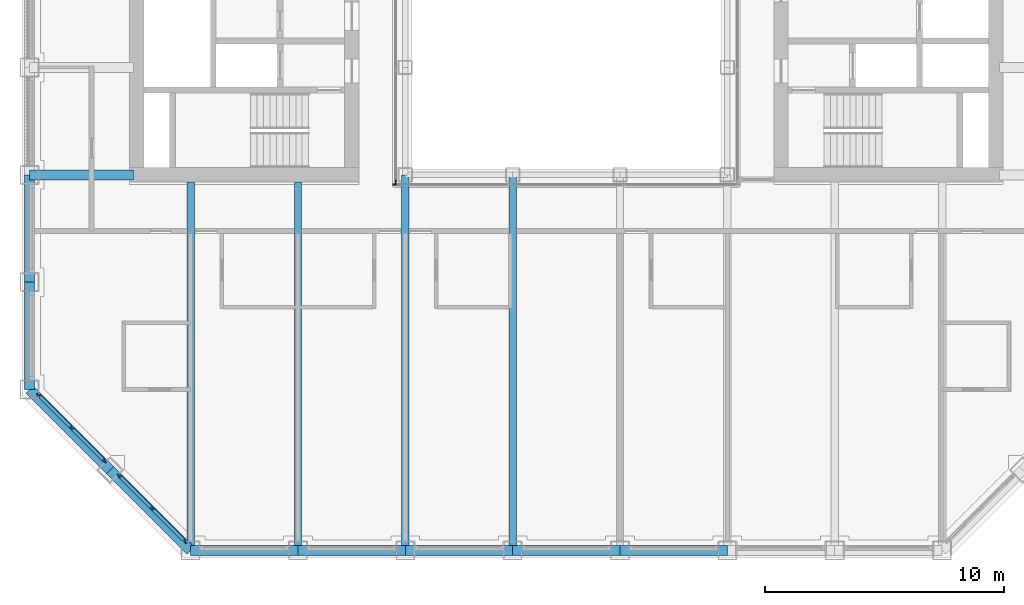
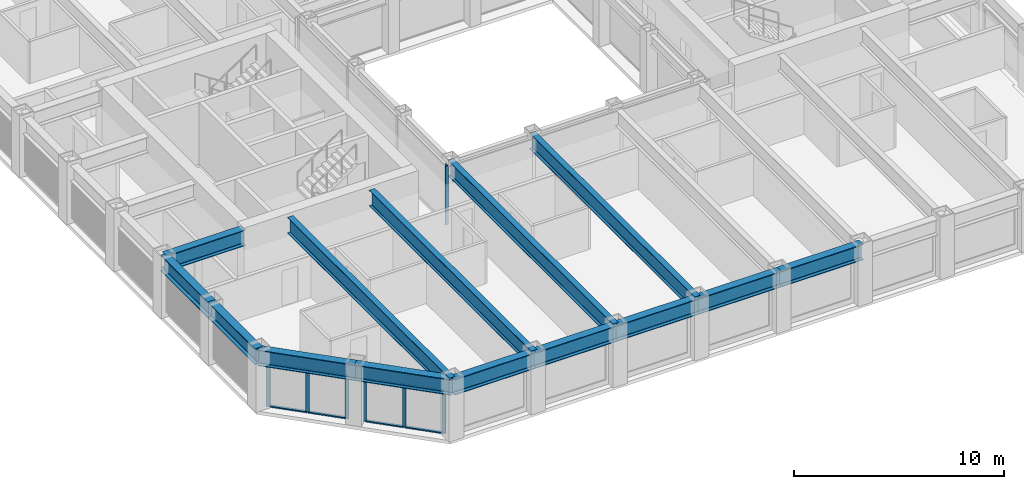
# One storey, part 2 of 17: 16 members, 14 beams, 4 elements without a shape of their own.
"""IFC4 building model written with IfcOpenShell, lengths in metres."""

from ifc_helpers import new_model, si_unit, direction, frame, origin, origin_2d, place, context, subcontext, project, spatial, rectangle, i_section, extrude, material, material_profile, profile_set, type_object, element, aggregate, save


model = new_model("IFC4")

# Units and contexts
model_context = context("Model", 3, precision=1e-05, world=origin(), true_north=direction((0.0, 1.0)))
body_context = subcontext(model_context, "Body", "Model", "MODEL_VIEW")
ifc_project = project(units=[si_unit("LENGTHUNIT", "METRE"), si_unit("AREAUNIT", "SQUARE_METRE"), si_unit("VOLUMEUNIT", "CUBIC_METRE"), si_unit("PLANEANGLEUNIT", "RADIAN"), si_unit("MASSUNIT", "GRAM", prefix="KILO")], contexts=[model_context])

# Site, building, storey
site_placement = place(None, origin())
site = spatial("IfcSite", under=ifc_project, at=site_placement, CompositionType="ELEMENT")
building_placement = place(site_placement, origin())
building = spatial("IfcBuilding", under=site, at=building_placement, Name="Msasa Ring Tower", CompositionType="ELEMENT")
storey_placement = place(building_placement, frame((0.0, 0.0, 147.199951171875)))
storey = spatial("IfcBuildingStorey", under=building, at=storey_placement, Name="L38", CompositionType="ELEMENT", Elevation=147.199951171875)

# Curtain wall, members
ifc_material_1 = material(Name="Aluminium curtain wall with clear glass", Category="aluminium")
curtain_wall_type_1 = type_object("IfcCurtainWallType", Name="CW-C CHAMFER CORNER CURTAIN WALL", PredefinedType="NOTDEFINED", material=ifc_material_1)
curtain_wall_1_placement = place(storey_placement, origin())
curtain_wall_1 = element("IfcCurtainWall", 1, at=curtain_wall_1_placement, inside=storey, type_object=curtain_wall_type_1, Name="Chamfer corner curtain wall SW L38", PredefinedType="NOTDEFINED")
ifc_material_2 = material(Name="Aluminium mullion", Category="aluminium")
ifc_material_profile_1 = material_profile(ifc_material_2, rectangle(XDim=0.06494140625, YDim=0.179931640625, at=origin_2d()), Name="AL 65x180")
ifc_profile_set_1 = profile_set([ifc_material_profile_1], Name="Aluminium mullion")
member_type_1 = type_object("IfcMemberType", Name="CW-C MULLION 65x180", PredefinedType="MULLION", material=ifc_profile_set_1)
member_1_placement = place(storey_placement, frame((-22.119873046875, -15.98876953125, 0.0), z_axis=(0.0, 0.0, 1.0), x_axis=(0.707106781187, 0.707106781187, 0.0)))
member_1 = element("IfcMember", 2, at=member_1_placement, type_object=member_type_1, Name="CW-C mullion 1", PredefinedType="MULLION", context=body_context, shape_type="SweptSolid", body=[
    extrude(rectangle(XDim=0.06494140625, YDim=0.179931640625, at=origin_2d()), origin(), (0.0, 0.0, 1.0), 2.47900390625),
])
member_2_placement = place(storey_placement, frame((-20.74169921875, -17.36669921875, 0.0), z_axis=(0.0, 0.0, 1.0), x_axis=(0.707106781187, 0.707106781187, 0.0)))
member_2 = element("IfcMember", 3, at=member_2_placement, type_object=member_type_1, Name="CW-C mullion 2", PredefinedType="MULLION", context=body_context, shape_type="SweptSolid", body=[
    extrude(rectangle(XDim=0.06494140625, YDim=0.179931640625, at=origin_2d()), origin(), (0.0, 0.0, 1.0), 2.47900390625),
])
member_3_placement = place(storey_placement, frame((-19.36376953125, -18.744873046875, 0.0), z_axis=(0.0, 0.0, 1.0), x_axis=(0.707106781187, 0.707106781187, 0.0)))
member_3 = element("IfcMember", 4, at=member_3_placement, type_object=member_type_1, Name="CW-C mullion 3", PredefinedType="MULLION", context=body_context, shape_type="SweptSolid", body=[
    extrude(rectangle(XDim=0.06494140625, YDim=0.179931640625, at=origin_2d()), origin(), (0.0, 0.0, 1.0), 2.47900390625),
])

curtain_wall_2_placement = place(storey_placement, origin())
curtain_wall_2 = element("IfcCurtainWall", 5, at=curtain_wall_2_placement, inside=storey, type_object=curtain_wall_type_1, Name="Chamfer corner curtain wall SW L38", PredefinedType="NOTDEFINED")
member_4_placement = place(storey_placement, frame((-18.744873046875, -19.36376953125, 0.0), z_axis=(0.0, 0.0, 1.0), x_axis=(0.707106781187, 0.707106781187, 0.0)))
member_4 = element("IfcMember", 6, at=member_4_placement, type_object=member_type_1, Name="CW-C mullion 1", PredefinedType="MULLION", context=body_context, shape_type="SweptSolid", body=[
    extrude(rectangle(XDim=0.06494140625, YDim=0.179931640625, at=origin_2d()), origin(), (0.0, 0.0, 1.0), 2.47900390625),
])
member_5_placement = place(storey_placement, frame((-17.36669921875, -20.74169921875, 0.0), z_axis=(0.0, 0.0, 1.0), x_axis=(0.707106781187, 0.707106781187, 0.0)))
member_5 = element("IfcMember", 7, at=member_5_placement, type_object=member_type_1, Name="CW-C mullion 2", PredefinedType="MULLION", context=body_context, shape_type="SweptSolid", body=[
    extrude(rectangle(XDim=0.06494140625, YDim=0.179931640625, at=origin_2d()), origin(), (0.0, 0.0, 1.0), 2.47900390625),
])
member_6_placement = place(storey_placement, frame((-15.98876953125, -22.119873046875, 0.0), z_axis=(0.0, 0.0, 1.0), x_axis=(0.707106781187, 0.707106781187, 0.0)))
member_6 = element("IfcMember", 8, at=member_6_placement, type_object=member_type_1, Name="CW-C mullion 3", PredefinedType="MULLION", context=body_context, shape_type="SweptSolid", body=[
    extrude(rectangle(XDim=0.06494140625, YDim=0.179931640625, at=origin_2d()), origin(), (0.0, 0.0, 1.0), 2.47900390625),
])

# Member
ifc_material_3 = material(Name="Aluminium transom", Category="aluminium")
ifc_material_profile_2 = material_profile(ifc_material_3, rectangle(XDim=0.139892578125, YDim=0.06494140625, at=origin_2d()), Name="AL 65x140")
ifc_profile_set_2 = profile_set([ifc_material_profile_2], Name="Aluminium transom")
member_type_2 = type_object("IfcMemberType", Name="CW-C TRANSOM 65x140", PredefinedType="USERDEFINED", material=ifc_profile_set_2)
member_7_placement = place(storey_placement, frame((-22.096923828125, -16.01171875, 0.032470703125), z_axis=(0.707106781187, -0.707106781187, 0.0), x_axis=(0.707106781187, 0.707106781187, 0.0)))
member_7 = element("IfcMember", 9, at=member_7_placement, type_object=member_type_2, Name="CW-C transom 1.1", ObjectType="TRANSOM", PredefinedType="USERDEFINED", context=body_context, shape_type="SweptSolid", body=[
    extrude(rectangle(XDim=0.139892578125, YDim=0.06494140625, at=origin_2d()), origin(), (0.0, 0.0, 1.0), 1.8837890625),
])

member_8_placement = place(storey_placement, frame((-22.096923828125, -16.01171875, 2.446533203125), z_axis=(0.707106781187, -0.707106781187, 0.0), x_axis=(0.707106781187, 0.707106781187, 0.0)))
member_8 = element("IfcMember", 10, at=member_8_placement, type_object=member_type_2, Name="CW-C transom 1.2", ObjectType="TRANSOM", PredefinedType="USERDEFINED", context=body_context, shape_type="SweptSolid", body=[
    extrude(rectangle(XDim=0.139892578125, YDim=0.06494140625, at=origin_2d()), origin(), (0.0, 0.0, 1.0), 1.8837890625),
])

member_9_placement = place(storey_placement, frame((-20.71875, -17.389892578125, 0.032470703125), z_axis=(0.707106781187, -0.707106781187, 0.0), x_axis=(0.707106781187, 0.707106781187, 0.0)))
member_9 = element("IfcMember", 11, at=member_9_placement, type_object=member_type_2, Name="CW-C transom 2.1", ObjectType="TRANSOM", PredefinedType="USERDEFINED", context=body_context, shape_type="SweptSolid", body=[
    extrude(rectangle(XDim=0.139892578125, YDim=0.06494140625, at=origin_2d()), origin(), (0.0, 0.0, 1.0), 1.8837890625),
])

member_10_placement = place(storey_placement, frame((-20.71875, -17.389892578125, 2.446533203125), z_axis=(0.707106781187, -0.707106781187, 0.0), x_axis=(0.707106781187, 0.707106781187, 0.0)))
member_10 = element("IfcMember", 12, at=member_10_placement, type_object=member_type_2, Name="CW-C transom 2.2", ObjectType="TRANSOM", PredefinedType="USERDEFINED", context=body_context, shape_type="SweptSolid", body=[
    extrude(rectangle(XDim=0.139892578125, YDim=0.06494140625, at=origin_2d()), origin(), (0.0, 0.0, 1.0), 1.8837890625),
])

aggregate(curtain_wall_1, [member_1, member_2, member_3, member_7, member_8, member_9, member_10])

member_11_placement = place(storey_placement, frame((-18.721923828125, -19.38671875, 0.032470703125), z_axis=(0.707106781187, -0.707106781187, 0.0), x_axis=(0.707106781187, 0.707106781187, 0.0)))
member_11 = element("IfcMember", 13, at=member_11_placement, type_object=member_type_2, Name="CW-C transom 1.1", ObjectType="TRANSOM", PredefinedType="USERDEFINED", context=body_context, shape_type="SweptSolid", body=[
    extrude(rectangle(XDim=0.139892578125, YDim=0.06494140625, at=origin_2d()), origin(), (0.0, 0.0, 1.0), 1.8837890625),
])

member_12_placement = place(storey_placement, frame((-18.721923828125, -19.38671875, 2.446533203125), z_axis=(0.707106781187, -0.707106781187, 0.0), x_axis=(0.707106781187, 0.707106781187, 0.0)))
member_12 = element("IfcMember", 14, at=member_12_placement, type_object=member_type_2, Name="CW-C transom 1.2", ObjectType="TRANSOM", PredefinedType="USERDEFINED", context=body_context, shape_type="SweptSolid", body=[
    extrude(rectangle(XDim=0.139892578125, YDim=0.06494140625, at=origin_2d()), origin(), (0.0, 0.0, 1.0), 1.8837890625),
])

member_13_placement = place(storey_placement, frame((-17.34375, -20.764892578125, 0.032470703125), z_axis=(0.707106781187, -0.707106781187, 0.0), x_axis=(0.707106781187, 0.707106781187, 0.0)))
member_13 = element("IfcMember", 15, at=member_13_placement, type_object=member_type_2, Name="CW-C transom 2.1", ObjectType="TRANSOM", PredefinedType="USERDEFINED", context=body_context, shape_type="SweptSolid", body=[
    extrude(rectangle(XDim=0.139892578125, YDim=0.06494140625, at=origin_2d()), origin(), (0.0, 0.0, 1.0), 1.8837890625),
])

member_14_placement = place(storey_placement, frame((-17.34375, -20.764892578125, 2.446533203125), z_axis=(0.707106781187, -0.707106781187, 0.0), x_axis=(0.707106781187, 0.707106781187, 0.0)))
member_14 = element("IfcMember", 16, at=member_14_placement, type_object=member_type_2, Name="CW-C transom 2.2", ObjectType="TRANSOM", PredefinedType="USERDEFINED", context=body_context, shape_type="SweptSolid", body=[
    extrude(rectangle(XDim=0.139892578125, YDim=0.06494140625, at=origin_2d()), origin(), (0.0, 0.0, 1.0), 1.8837890625),
])

aggregate(curtain_wall_2, [member_4, member_5, member_6, member_11, member_12, member_13, member_14])

# Curtain wall, member
ifc_material_4 = material(Name="Aluminium curtain wall with clear glass", Category="aluminium")
curtain_wall_type_2 = type_object("IfcCurtainWallType", Name="CW-W LIGHT WELL CURTAIN WALL", PredefinedType="NOTDEFINED", material=ifc_material_4)
curtain_wall_3_placement = place(storey_placement, origin())
curtain_wall_3 = element("IfcCurtainWall", 17, at=curtain_wall_3_placement, inside=storey, type_object=curtain_wall_type_2, Name="Light well curtain wall S L38", PredefinedType="NOTDEFINED")
ifc_material_5 = material(Name="Aluminium mullion", Category="aluminium")
ifc_material_profile_3 = material_profile(ifc_material_5, rectangle(XDim=0.06005859375, YDim=0.159912109375, at=origin_2d()), Name="AL 60x160")
ifc_profile_set_3 = profile_set([ifc_material_profile_3], Name="Aluminium mullion")
member_type_3 = type_object("IfcMemberType", Name="CW-W MULLION 60x160", PredefinedType="MULLION", material=ifc_profile_set_3)
member_15_placement = place(storey_placement, frame((-7.199951171875, -7.14990234375, 0.0), z_axis=(0.0, 0.0, 1.0), x_axis=(0.0, 1.0, 0.0)))
member_15 = element("IfcMember", 18, at=member_15_placement, type_object=member_type_3, Name="CW-W mullion 1", PredefinedType="MULLION", context=body_context, shape_type="SweptSolid", body=[
    extrude(rectangle(XDim=0.06005859375, YDim=0.159912109375, at=origin_2d()), origin(), (0.0, 0.0, 1.0), 3.400146484375),
])
aggregate(curtain_wall_3, [member_15])

curtain_wall_4_placement = place(storey_placement, origin())
curtain_wall_4 = element("IfcCurtainWall", 19, at=curtain_wall_4_placement, inside=storey, type_object=curtain_wall_type_2, Name="Light well curtain wall W L38", PredefinedType="NOTDEFINED")
member_16_placement = place(storey_placement, frame((-7.14990234375, -7.0400390625, 0.0), z_axis=(0.0, 0.0, 1.0), x_axis=(-1.0, 0.0, 0.0)))
member_16 = element("IfcMember", 20, at=member_16_placement, type_object=member_type_3, Name="CW-W mullion 1", PredefinedType="MULLION", context=body_context, shape_type="SweptSolid", body=[
    extrude(rectangle(XDim=0.06005859375, YDim=0.159912109375, at=origin_2d()), origin(), (0.0, 0.0, 1.0), 3.400146484375),
])
aggregate(curtain_wall_4, [member_16])

# Beams
ifc_material_6 = material(Name="Steel S355", Category="steel")
ifc_material_profile_4 = material_profile(ifc_material_6, i_section(OverallWidth=0.3076171875, OverallDepth=0.926513671875, WebThickness=0.01953125, FlangeThickness=0.031982421875, FilletRadius=0.01904296875, at=origin_2d()), Name="UB 914x305x289")
ifc_profile_set_4 = profile_set([ifc_material_profile_4], Name="Steel S355")
beam_type_1 = type_object("IfcBeamType", Name="FB3 UB 914x305x289", PredefinedType="BEAM", material=ifc_profile_set_4)
for number, where, z_axis, x_axis, name in (
    (21, (-15.75, -22.5, 2.936767578125), (0.0, 1.0, 0.0), (-1.0, 0.0, 0.0), "Floor beam S-15.75 under L39"),
    (22, (-11.25, -22.5, 2.936767578125), (0.0, 1.0, 0.0), (-1.0, 0.0, 0.0), "Floor beam S-11.25 under L39"),
):
    element("IfcBeam", number, at=place(storey_placement, frame(where, z_axis=z_axis, x_axis=x_axis)), inside=storey, type_object=beam_type_1, Name=name, PredefinedType="BEAM", context=body_context, shape_type="SweptSolid", body=[
        extrude(i_section(OverallWidth=0.3076171875, OverallDepth=0.926513671875, WebThickness=0.01953125, FlangeThickness=0.031982421875, FilletRadius=0.01904296875, at=origin_2d()), origin(), (0.0, 0.0, 1.0), 15.449951171875),
    ])
for number, where, z_axis, x_axis, name in (
    (23, (-6.75, -22.5, 2.936767578125), (0.0, 1.0, 0.0), (-1.0, 0.0, 0.0), "Floor beam S-6.75 under L39"),
    (24, (-2.25, -22.5, 2.936767578125), (0.0, 1.0, 0.0), (-1.0, 0.0, 0.0), "Floor beam S-2.25 under L39"),
):
    element("IfcBeam", number, at=place(storey_placement, frame(where, z_axis=z_axis, x_axis=x_axis)), inside=storey, type_object=beam_type_1, Name=name, PredefinedType="BEAM", context=body_context, shape_type="SweptSolid", body=[
        extrude(i_section(OverallWidth=0.3076171875, OverallDepth=0.926513671875, WebThickness=0.01953125, FlangeThickness=0.031982421875, FilletRadius=0.01904296875, at=origin_2d()), origin(), (0.0, 0.0, 1.0), 15.75),
    ])
ifc_material_7 = material(Name="Steel S355", Category="steel")
ifc_material_profile_5 = material_profile(ifc_material_7, i_section(OverallWidth=0.42041015625, OverallDepth=0.9208984375, WebThickness=0.021484375, FlangeThickness=0.03662109375, FilletRadius=0.024169921875, at=origin_2d()), Name="UB 914x419x388")
ifc_profile_set_5 = profile_set([ifc_material_profile_5], Name="Steel S355")
beam_type_2 = type_object("IfcBeamType", Name="GB1 UB 914x419x388", PredefinedType="BEAM", material=ifc_profile_set_5)
beam_placement = place(storey_placement, frame((-18.14990234375, -6.75, 2.939453125), z_axis=(-1.0, 0.0, 0.0), x_axis=(0.0, -1.0, 0.0)))
element("IfcBeam", 25, at=beam_placement, inside=storey, type_object=beam_type_2, Name="Girder W -6.75 under L39", PredefinedType="BEAM", context=body_context, shape_type="SweptSolid", body=[
    extrude(i_section(OverallWidth=0.42041015625, OverallDepth=0.9208984375, WebThickness=0.021484375, FlangeThickness=0.03662109375, FilletRadius=0.024169921875, at=origin_2d()), origin(), (0.0, 0.0, 1.0), 4.35009765625),
])
ifc_material_8 = material(Name="Steel S355", Category="steel")
ifc_material_profile_6 = material_profile(ifc_material_8, i_section(OverallWidth=0.42041015625, OverallDepth=0.9208984375, WebThickness=0.021484375, FlangeThickness=0.03662109375, FilletRadius=0.024169921875, at=origin_2d()), Name="UB 914x419x388")
ifc_profile_set_6 = profile_set([ifc_material_profile_6], Name="Steel S355")
beam_type_3 = type_object("IfcBeamType", Name="SB1 UB 914x419x388", PredefinedType="SPANDREL", material=ifc_profile_set_6)
for number, where, z_axis, x_axis, name in (
    (26, (-22.5, -6.75, 2.939453125), (0.0, -1.0, 0.0), (1.0, 0.0, 0.0), "Spandrel W-6.75 to W-11.25 under L39"),
    (27, (-22.5, -11.25, 2.939453125), (0.0, -1.0, 0.0), (1.0, 0.0, 0.0), "Spandrel W-11.25 to W-15.75 under L39"),
):
    element("IfcBeam", number, at=place(storey_placement, frame(where, z_axis=z_axis, x_axis=x_axis)), inside=storey, type_object=beam_type_3, Name=name, PredefinedType="SPANDREL", context=body_context, shape_type="SweptSolid", body=[
        extrude(i_section(OverallWidth=0.42041015625, OverallDepth=0.9208984375, WebThickness=0.021484375, FlangeThickness=0.03662109375, FilletRadius=0.024169921875, at=origin_2d()), origin(), (0.0, 0.0, 1.0), 4.5),
    ])
for number, where, z_axis, x_axis, name in (
    (28, (-22.5, -15.75, 2.939453125), (0.707106781187, -0.707106781187, 0.0), (0.707106781187, 0.707106781187, 0.0), "Spandrel W-15.75 to SW under L39"),
    (29, (-19.125, -19.125, 2.939453125), (0.707106781187, -0.707106781187, 0.0), (0.707106781187, 0.707106781187, 0.0), "Spandrel SW to S-15.75 under L39"),
):
    element("IfcBeam", number, at=place(storey_placement, frame(where, z_axis=z_axis, x_axis=x_axis)), inside=storey, type_object=beam_type_3, Name=name, PredefinedType="SPANDREL", context=body_context, shape_type="SweptSolid", body=[
        extrude(i_section(OverallWidth=0.42041015625, OverallDepth=0.9208984375, WebThickness=0.021484375, FlangeThickness=0.03662109375, FilletRadius=0.024169921875, at=origin_2d()), origin(), (0.0, 0.0, 1.0), 4.77294921875),
    ])
for number, where, z_axis, x_axis, name in (
    (30, (-15.75, -22.5, 2.939453125), (1.0, 0.0, 0.0), (0.0, 1.0, 0.0), "Spandrel S-15.75 to S-11.25 under L39"),
    (31, (-11.25, -22.5, 2.939453125), (1.0, 0.0, 0.0), (0.0, 1.0, 0.0), "Spandrel S-11.25 to S-6.75 under L39"),
    (32, (-6.75, -22.5, 2.939453125), (1.0, 0.0, 0.0), (0.0, 1.0, 0.0), "Spandrel S-6.75 to S-2.25 under L39"),
    (33, (-2.25, -22.5, 2.939453125), (1.0, 0.0, 0.0), (0.0, 1.0, 0.0), "Spandrel S-2.25 to S+2.25 under L39"),
    (34, (2.25, -22.5, 2.939453125), (1.0, 0.0, 0.0), (0.0, 1.0, 0.0), "Spandrel S+2.25 to S+6.75 under L39"),
):
    element("IfcBeam", number, at=place(storey_placement, frame(where, z_axis=z_axis, x_axis=x_axis)), inside=storey, type_object=beam_type_3, Name=name, PredefinedType="SPANDREL", context=body_context, shape_type="SweptSolid", body=[
        extrude(i_section(OverallWidth=0.42041015625, OverallDepth=0.9208984375, WebThickness=0.021484375, FlangeThickness=0.03662109375, FilletRadius=0.024169921875, at=origin_2d()), origin(), (0.0, 0.0, 1.0), 4.5),
    ])

save(model, "model.ifc")
